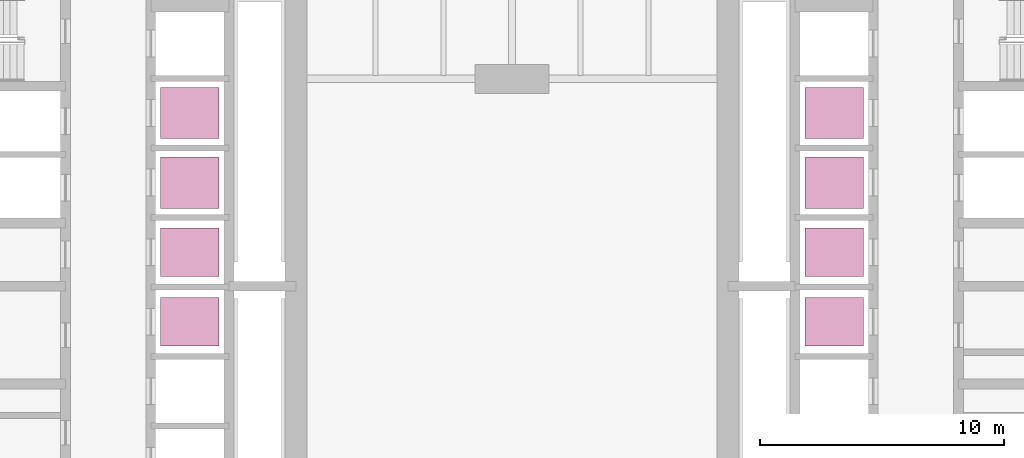
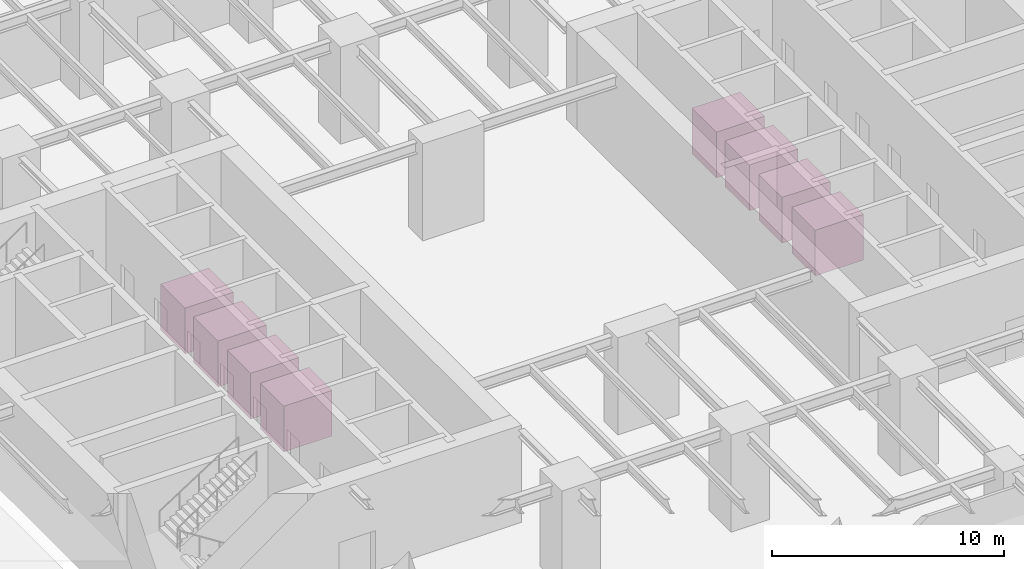
# One storey, part 31 of 31: 8 transport elements.
"""IFC4 building model written with IfcOpenShell, lengths in metres."""

from ifc_helpers import new_model, si_unit, direction, frame, origin, origin_2d, place, context, subcontext, project, spatial, rectangle, extrude, material, type_object, element, save


model = new_model("IFC4")

# Units and contexts
model_context = context("Model", 3, precision=1e-05, world=origin(), true_north=direction((0.0, 1.0)))
body_context = subcontext(model_context, "Body", "Model", "MODEL_VIEW")
ifc_project = project(units=[si_unit("LENGTHUNIT", "METRE"), si_unit("AREAUNIT", "SQUARE_METRE"), si_unit("VOLUMEUNIT", "CUBIC_METRE"), si_unit("PLANEANGLEUNIT", "RADIAN"), si_unit("MASSUNIT", "GRAM", prefix="KILO")], contexts=[model_context])

# Site, building, storey
site_placement = place(None, origin())
site = spatial("IfcSite", under=ifc_project, at=site_placement, CompositionType="ELEMENT")
building_placement = place(site_placement, origin())
building = spatial("IfcBuilding", under=site, at=building_placement, Name="Claustro Exchange Tower", CompositionType="ELEMENT")
storey_placement = place(building_placement, origin())
storey = spatial("IfcBuildingStorey", under=building, at=storey_placement, Name="L00", CompositionType="ELEMENT", Elevation=0.0)

# Transport elements
ifc_material_1 = material(Name="Stainless steel lift car", Category="steel")
transport_element_type_1 = type_object("IfcTransportElementType", Name="LC2 2000 x 2400 mid lift car, 1600 kg", PredefinedType="ELEVATOR", material=ifc_material_1)
for number, where, name in (
    (1, (12.0, 23.64990234375, 0.0), "Lift LMW1"),
    (2, (12.0, 26.5, 0.0), "Lift LMW2"),
    (3, (38.39990234375, 23.64990234375, 0.0), "Lift LME1"),
    (4, (38.39990234375, 26.5, 0.0), "Lift LME2"),
):
    element("IfcTransportElement", number, at=place(storey_placement, frame(where)), inside=storey, type_object=transport_element_type_1, Name=name, PredefinedType="ELEVATOR", context=body_context, shape_type="SweptSolid", body=[
        extrude(rectangle(XDim=2.39990234375, YDim=2.0, at=origin_2d()), origin(), (0.0, 0.0, 1.0), 2.39990234375),
    ])
ifc_material_2 = material(Name="Stainless steel lift car", Category="steel")
transport_element_type_2 = type_object("IfcTransportElementType", Name="LC3 2100 x 2400 high lift car, 1800 kg", PredefinedType="ELEVATOR", material=ifc_material_2)
for number, where, name in (
    (5, (12.0, 29.35009765625, 0.0), "Lift LHW1"),
    (6, (12.0, 32.199951171875, 0.0), "Lift LHW2"),
    (7, (38.39990234375, 29.35009765625, 0.0), "Lift LHE1"),
    (8, (38.39990234375, 32.199951171875, 0.0), "Lift LHE2"),
):
    element("IfcTransportElement", number, at=place(storey_placement, frame(where)), inside=storey, type_object=transport_element_type_2, Name=name, PredefinedType="ELEVATOR", context=body_context, shape_type="SweptSolid", body=[
        extrude(rectangle(XDim=2.39990234375, YDim=2.10009765625, at=origin_2d()), origin(), (0.0, 0.0, 1.0), 2.39990234375),
    ])

save(model, "model.ifc")
